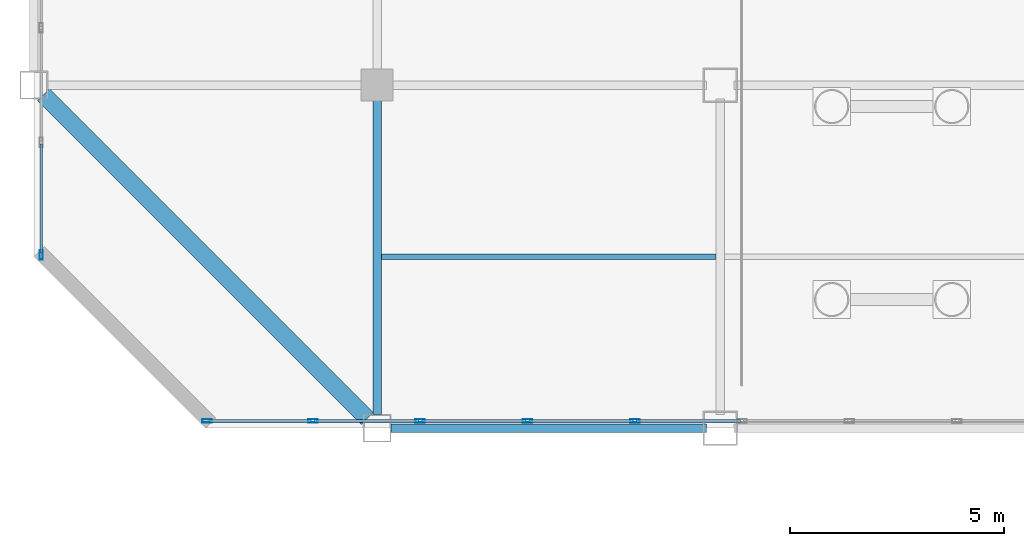
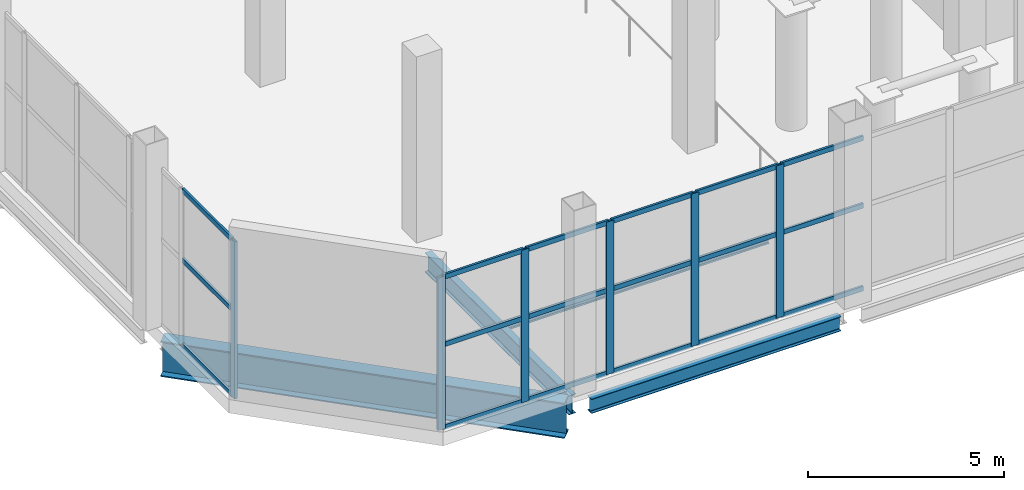
# One storey, part 2 of 18: 24 members, 4 beams, 2 elements without a shape of their own.
"""IFC4 building model written with IfcOpenShell, lengths in metres."""

from ifc_helpers import new_model, si_unit, direction, frame, origin, origin_2d, place, context, subcontext, project, spatial, hollow_rectangle, i_section, extrude, material, layer, layer_set, material_profile, profile_set, type_object, element, aggregate, save


model = new_model("IFC4")

# Units and contexts
model_context = context("Model", 3, precision=1e-05, world=origin(), true_north=direction((0.0, 1.0)))
body_context = subcontext(model_context, "Body", "Model", "MODEL_VIEW")
ifc_project = project(units=[si_unit("LENGTHUNIT", "METRE"), si_unit("AREAUNIT", "SQUARE_METRE"), si_unit("VOLUMEUNIT", "CUBIC_METRE"), si_unit("PLANEANGLEUNIT", "RADIAN"), si_unit("MASSUNIT", "GRAM", prefix="KILO")], contexts=[model_context])

# Site, building, storey
site_placement = place(None, origin())
site = spatial("IfcSite", under=ifc_project, at=site_placement, CompositionType="ELEMENT")
building_placement = place(site_placement, origin())
building = spatial("IfcBuilding", under=site, at=building_placement, Name="Qianrong Seaharbour Tower", CompositionType="ELEMENT")
storey_placement = place(building_placement, frame((0.0, 0.0, 367.199951171875)))
storey = spatial("IfcBuildingStorey", under=building, at=storey_placement, Name="L89", CompositionType="ELEMENT", Elevation=367.199951171875)

# Beams
ifc_material_1 = material(Name="Structural steel SN490B", Category="steel")
ifc_material_profile_1 = material_profile(ifc_material_1, i_section(OverallWidth=0.199951171875, OverallDepth=0.60009765625, WebThickness=0.010986328125, FlangeThickness=0.01708984375, FilletRadius=0.02197265625, at=origin_2d()), Name="H600x200x11x17")
ifc_profile_set_1 = profile_set([ifc_material_profile_1], Name="Structural steel SN490B")
beam_type_1 = type_object("IfcBeamType", Name="BM-G-600", PredefinedType="BEAM", material=ifc_profile_set_1)
beam_1_placement = place(storey_placement, frame((24.5, 28.320068359375, -0.719970703125), z_axis=(0.0, 1.0, 0.0), x_axis=(-1.0, 0.0, 0.0)))
element("IfcBeam", 1, at=beam_1_placement, inside=storey, type_object=beam_type_1, Name="L89 Primary Girder G4 GE-GF", PredefinedType="BEAM", context=body_context, shape_type="SweptSolid", body=[
    extrude(i_section(OverallWidth=0.199951171875, OverallDepth=0.60009765625, WebThickness=0.010986328125, FlangeThickness=0.01708984375, FilletRadius=0.02197265625, at=origin_2d()), origin(), (0.0, 0.0, 1.0), 7.35986328125),
])
ifc_material_2 = material(Name="Structural steel SN400B", Category="steel")
ifc_material_profile_2 = material_profile(ifc_material_2, i_section(OverallWidth=0.125, OverallDepth=0.25, WebThickness=0.006103515625, FlangeThickness=0.009033203125, FilletRadius=0.011962890625, at=origin_2d()), Name="H250x125x6x9")
ifc_profile_set_2 = profile_set([ifc_material_profile_2], Name="Structural steel SN400B")
beam_type_2 = type_object("IfcBeamType", Name="BM-J-250", PredefinedType="JOIST", material=ifc_profile_set_2)
beam_2_placement = place(storey_placement, frame((24.60009765625, 32.0, -0.544921875), z_axis=(1.0, 0.0, 0.0), x_axis=(0.0, 1.0, 0.0)))
element("IfcBeam", 2, at=beam_2_placement, inside=storey, type_object=beam_type_2, Name="L89 Composite Floor Joist G4-G5/GE-GF", PredefinedType="JOIST", context=body_context, shape_type="SweptSolid", body=[
    extrude(i_section(OverallWidth=0.125, OverallDepth=0.25, WebThickness=0.006103515625, FlangeThickness=0.009033203125, FilletRadius=0.011962890625, at=origin_2d()), origin(), (0.0, 0.0, 1.0), 7.7998046875),
])
ifc_material_profile_3 = material_profile(ifc_material_2, i_section(OverallWidth=0.199951171875, OverallDepth=0.449951171875, WebThickness=0.009033203125, FlangeThickness=0.013916015625, FilletRadius=0.01806640625, at=origin_2d()), Name="H450x200x9x14")
ifc_profile_set_3 = profile_set([ifc_material_profile_3], Name="Structural steel SN400B")
beam_type_3 = type_object("IfcBeamType", Name="BM-SP-450", PredefinedType="SPANDREL", material=ifc_profile_set_3)
beam_3_placement = place(storey_placement, frame((24.820068359375, 28.0, -0.64501953125), z_axis=(1.0, 0.0, 0.0), x_axis=(0.0, 1.0, 0.0)))
element("IfcBeam", 3, at=beam_3_placement, inside=storey, type_object=beam_type_3, Name="L89 Spandrel Girder GE G4-G5", PredefinedType="SPANDREL", context=body_context, shape_type="SweptSolid", body=[
    extrude(i_section(OverallWidth=0.199951171875, OverallDepth=0.449951171875, WebThickness=0.009033203125, FlangeThickness=0.013916015625, FilletRadius=0.01806640625, at=origin_2d()), origin(), (0.0, 0.0, 1.0), 7.35986328125),
])
ifc_material_profile_4 = material_profile(ifc_material_1, i_section(OverallWidth=0.39990234375, OverallDepth=1.10009765625, WebThickness=0.02001953125, FlangeThickness=0.035888671875, at=origin_2d()), Name="BH1100x400x20x36")
ifc_profile_set_4 = profile_set([ifc_material_profile_4], Name="Structural steel SN490B")
beam_type_4 = type_object("IfcBeamType", Name="BM-TG-1100", PredefinedType="BEAM", material=ifc_profile_set_4)
beam_4_placement = place(storey_placement, frame((24.273681640625, 28.226318359375, -0.969970703125), z_axis=(-0.707106781187, 0.707106781187, 0.0), x_axis=(-0.707106781187, -0.707106781187, 0.0)))
element("IfcBeam", 4, at=beam_4_placement, inside=storey, type_object=beam_type_4, Name="L89 Chamfer Corner Spandrel Girder G3/GE", PredefinedType="BEAM", context=body_context, shape_type="SweptSolid", body=[
    extrude(i_section(OverallWidth=0.39990234375, OverallDepth=1.10009765625, WebThickness=0.02001953125, FlangeThickness=0.035888671875, at=origin_2d()), origin(), (0.0, 0.0, 1.0), 10.673583984375),
])

# Curtain wall, members
ifc_material_3 = material(Name="Anodised aluminium 6063-T6 and laminated low-e glass", Category="aluminium")
ifc_layer = layer(ifc_material_3, 0.22998046875)
ifc_layer_set = layer_set([ifc_layer], Name="Anodised aluminium 6063-T6 and laminated low-e glass")
curtain_wall_type = type_object("IfcCurtainWallType", Name="CW-SYS-5", PredefinedType="NOTDEFINED", material=ifc_layer_set)
curtain_wall_1_placement = place(storey_placement, origin())
curtain_wall_1 = element("IfcCurtainWall", 5, at=curtain_wall_1_placement, inside=storey, type_object=curtain_wall_type, Name="L89 Venturi Wind-Turbine Shroud Curtain Wall HARBOUR_RIBBON", PredefinedType="NOTDEFINED")
ifc_material_4 = material(Name="Extruded aluminium 6063-T6", Category="aluminium")
ifc_material_profile_5 = material_profile(ifc_material_4, hollow_rectangle(XDim=0.080078125, YDim=0.219970703125, WallThickness=0.0048828125, at=origin_2d()), Name="ALU-MUL-220x80x5")
ifc_profile_set_5 = profile_set([ifc_material_profile_5], Name="Extruded aluminium 6063-T6")
member_type_1 = type_object("IfcMemberType", Name="CW-MUL-220", PredefinedType="MULLION", material=ifc_profile_set_5)
member_1_placement = place(storey_placement, frame((30.510009765625, 28.169921875, 0.0), z_axis=(0.0, 0.0, 1.0), x_axis=(0.0, -1.0, 0.0)))
member_1 = element("IfcMember", 6, at=member_1_placement, type_object=member_type_1, Name="CW-5 mullion 5", PredefinedType="MULLION", context=body_context, shape_type="SweptSolid", body=[
    extrude(hollow_rectangle(XDim=0.080078125, YDim=0.219970703125, WallThickness=0.0048828125, at=origin_2d()), origin(), (0.0, 0.0, 1.0), 4.75),
])
member_2_placement = place(storey_placement, frame((28.007568359375, 28.169921875, 0.0), z_axis=(0.0, 0.0, 1.0), x_axis=(0.0, -1.0, 0.0)))
member_2 = element("IfcMember", 7, at=member_2_placement, type_object=member_type_1, Name="CW-5 mullion 6", PredefinedType="MULLION", context=body_context, shape_type="SweptSolid", body=[
    extrude(hollow_rectangle(XDim=0.080078125, YDim=0.219970703125, WallThickness=0.0048828125, at=origin_2d()), origin(), (0.0, 0.0, 1.0), 4.75),
])
member_3_placement = place(storey_placement, frame((25.5048828125, 28.169921875, 0.0), z_axis=(0.0, 0.0, 1.0), x_axis=(0.0, -1.0, 0.0)))
member_3 = element("IfcMember", 8, at=member_3_placement, type_object=member_type_1, Name="CW-5 mullion 7", PredefinedType="MULLION", context=body_context, shape_type="SweptSolid", body=[
    extrude(hollow_rectangle(XDim=0.080078125, YDim=0.219970703125, WallThickness=0.0048828125, at=origin_2d()), origin(), (0.0, 0.0, 1.0), 4.75),
])
member_4_placement = place(storey_placement, frame((23.00244140625, 28.169921875, 0.0), z_axis=(0.0, 0.0, 1.0), x_axis=(0.0, -1.0, 0.0)))
member_4 = element("IfcMember", 9, at=member_4_placement, type_object=member_type_1, Name="CW-5 mullion 8", PredefinedType="MULLION", context=body_context, shape_type="SweptSolid", body=[
    extrude(hollow_rectangle(XDim=0.080078125, YDim=0.219970703125, WallThickness=0.0048828125, at=origin_2d()), origin(), (0.0, 0.0, 1.0), 4.75),
])
member_5_placement = place(storey_placement, frame((20.5400390625, 28.169921875, 0.0), z_axis=(0.0, 0.0, 1.0), x_axis=(0.0, -1.0, 0.0)))
member_5 = element("IfcMember", 10, at=member_5_placement, type_object=member_type_1, Name="CW-5 mullion 9", PredefinedType="MULLION", context=body_context, shape_type="SweptSolid", body=[
    extrude(hollow_rectangle(XDim=0.080078125, YDim=0.219970703125, WallThickness=0.0048828125, at=origin_2d()), origin(), (0.0, 0.0, 1.0), 4.75),
])

# Curtain wall, member
curtain_wall_2_placement = place(storey_placement, origin())
curtain_wall_2 = element("IfcCurtainWall", 11, at=curtain_wall_2_placement, inside=storey, type_object=curtain_wall_type, Name="L89 Venturi Wind-Turbine Shroud Curtain Wall WEST_TIP", PredefinedType="NOTDEFINED")
member_6_placement = place(storey_placement, frame((16.669921875, 32.0400390625, 0.0), z_axis=(0.0, 0.0, 1.0), x_axis=(-1.0, 0.0, 0.0)))
member_6 = element("IfcMember", 12, at=member_6_placement, type_object=member_type_1, Name="CW-5 mullion 1", PredefinedType="MULLION", context=body_context, shape_type="SweptSolid", body=[
    extrude(hollow_rectangle(XDim=0.080078125, YDim=0.219970703125, WallThickness=0.0048828125, at=origin_2d()), origin(), (0.0, 0.0, 1.0), 4.900146484375),
])

# Member
ifc_material_profile_6 = material_profile(ifc_material_4, hollow_rectangle(XDim=0.06494140625, YDim=0.14990234375, WallThickness=0.00390625, at=origin_2d()), Name="ALU-TRN-150x65x4")
ifc_profile_set_6 = profile_set([ifc_material_profile_6], Name="Extruded aluminium 6063-T6")
member_type_2 = type_object("IfcMemberType", Name="CW-TRN-150", PredefinedType="USERDEFINED", material=ifc_profile_set_6)
member_7_placement = place(storey_placement, frame((32.972412109375, 28.169921875, 0.032470703125), z_axis=(-1.0, 0.0, 0.0), x_axis=(0.0, -1.0, 0.0)))
member_7 = element("IfcMember", 13, at=member_7_placement, type_object=member_type_2, Name="CW-5 transom 4.1", ObjectType="TRANSOM", PredefinedType="USERDEFINED", context=body_context, shape_type="SweptSolid", body=[
    extrude(hollow_rectangle(XDim=0.06494140625, YDim=0.14990234375, WallThickness=0.00390625, at=origin_2d()), origin(), (0.0, 0.0, 1.0), 2.42236328125),
])

member_8_placement = place(storey_placement, frame((32.972412109375, 28.169921875, 2.612548828125), z_axis=(-1.0, 0.0, 0.0), x_axis=(0.0, -1.0, 0.0)))
member_8 = element("IfcMember", 14, at=member_8_placement, type_object=member_type_2, Name="CW-5 transom 4.2", ObjectType="TRANSOM", PredefinedType="USERDEFINED", context=body_context, shape_type="SweptSolid", body=[
    extrude(hollow_rectangle(XDim=0.06494140625, YDim=0.14990234375, WallThickness=0.00390625, at=origin_2d()), origin(), (0.0, 0.0, 1.0), 2.42236328125),
])

member_9_placement = place(storey_placement, frame((32.972412109375, 28.169921875, 4.717529296875), z_axis=(-1.0, 0.0, 0.0), x_axis=(0.0, -1.0, 0.0)))
member_9 = element("IfcMember", 15, at=member_9_placement, type_object=member_type_2, Name="CW-5 transom 4.3", ObjectType="TRANSOM", PredefinedType="USERDEFINED", context=body_context, shape_type="SweptSolid", body=[
    extrude(hollow_rectangle(XDim=0.06494140625, YDim=0.14990234375, WallThickness=0.00390625, at=origin_2d()), origin(), (0.0, 0.0, 1.0), 2.42236328125),
])

member_10_placement = place(storey_placement, frame((30.469970703125, 28.169921875, 0.032470703125), z_axis=(-1.0, 0.0, 0.0), x_axis=(0.0, -1.0, 0.0)))
member_10 = element("IfcMember", 16, at=member_10_placement, type_object=member_type_2, Name="CW-5 transom 5.1", ObjectType="TRANSOM", PredefinedType="USERDEFINED", context=body_context, shape_type="SweptSolid", body=[
    extrude(hollow_rectangle(XDim=0.06494140625, YDim=0.14990234375, WallThickness=0.00390625, at=origin_2d()), origin(), (0.0, 0.0, 1.0), 2.42236328125),
])

member_11_placement = place(storey_placement, frame((30.469970703125, 28.169921875, 2.612548828125), z_axis=(-1.0, 0.0, 0.0), x_axis=(0.0, -1.0, 0.0)))
member_11 = element("IfcMember", 17, at=member_11_placement, type_object=member_type_2, Name="CW-5 transom 5.2", ObjectType="TRANSOM", PredefinedType="USERDEFINED", context=body_context, shape_type="SweptSolid", body=[
    extrude(hollow_rectangle(XDim=0.06494140625, YDim=0.14990234375, WallThickness=0.00390625, at=origin_2d()), origin(), (0.0, 0.0, 1.0), 2.42236328125),
])

member_12_placement = place(storey_placement, frame((30.469970703125, 28.169921875, 4.717529296875), z_axis=(-1.0, 0.0, 0.0), x_axis=(0.0, -1.0, 0.0)))
member_12 = element("IfcMember", 18, at=member_12_placement, type_object=member_type_2, Name="CW-5 transom 5.3", ObjectType="TRANSOM", PredefinedType="USERDEFINED", context=body_context, shape_type="SweptSolid", body=[
    extrude(hollow_rectangle(XDim=0.06494140625, YDim=0.14990234375, WallThickness=0.00390625, at=origin_2d()), origin(), (0.0, 0.0, 1.0), 2.42236328125),
])

member_13_placement = place(storey_placement, frame((27.967529296875, 28.169921875, 0.032470703125), z_axis=(-1.0, 0.0, 0.0), x_axis=(0.0, -1.0, 0.0)))
member_13 = element("IfcMember", 19, at=member_13_placement, type_object=member_type_2, Name="CW-5 transom 6.1", ObjectType="TRANSOM", PredefinedType="USERDEFINED", context=body_context, shape_type="SweptSolid", body=[
    extrude(hollow_rectangle(XDim=0.06494140625, YDim=0.14990234375, WallThickness=0.00390625, at=origin_2d()), origin(), (0.0, 0.0, 1.0), 2.422607421875),
])

member_14_placement = place(storey_placement, frame((27.967529296875, 28.169921875, 2.612548828125), z_axis=(-1.0, 0.0, 0.0), x_axis=(0.0, -1.0, 0.0)))
member_14 = element("IfcMember", 20, at=member_14_placement, type_object=member_type_2, Name="CW-5 transom 6.2", ObjectType="TRANSOM", PredefinedType="USERDEFINED", context=body_context, shape_type="SweptSolid", body=[
    extrude(hollow_rectangle(XDim=0.06494140625, YDim=0.14990234375, WallThickness=0.00390625, at=origin_2d()), origin(), (0.0, 0.0, 1.0), 2.422607421875),
])

member_15_placement = place(storey_placement, frame((27.967529296875, 28.169921875, 4.717529296875), z_axis=(-1.0, 0.0, 0.0), x_axis=(0.0, -1.0, 0.0)))
member_15 = element("IfcMember", 21, at=member_15_placement, type_object=member_type_2, Name="CW-5 transom 6.3", ObjectType="TRANSOM", PredefinedType="USERDEFINED", context=body_context, shape_type="SweptSolid", body=[
    extrude(hollow_rectangle(XDim=0.06494140625, YDim=0.14990234375, WallThickness=0.00390625, at=origin_2d()), origin(), (0.0, 0.0, 1.0), 2.422607421875),
])

member_16_placement = place(storey_placement, frame((25.465087890625, 28.169921875, 0.032470703125), z_axis=(-1.0, 0.0, 0.0), x_axis=(0.0, -1.0, 0.0)))
member_16 = element("IfcMember", 22, at=member_16_placement, type_object=member_type_2, Name="CW-5 transom 7.1", ObjectType="TRANSOM", PredefinedType="USERDEFINED", context=body_context, shape_type="SweptSolid", body=[
    extrude(hollow_rectangle(XDim=0.06494140625, YDim=0.14990234375, WallThickness=0.00390625, at=origin_2d()), origin(), (0.0, 0.0, 1.0), 2.422607421875),
])

member_17_placement = place(storey_placement, frame((25.465087890625, 28.169921875, 2.612548828125), z_axis=(-1.0, 0.0, 0.0), x_axis=(0.0, -1.0, 0.0)))
member_17 = element("IfcMember", 23, at=member_17_placement, type_object=member_type_2, Name="CW-5 transom 7.2", ObjectType="TRANSOM", PredefinedType="USERDEFINED", context=body_context, shape_type="SweptSolid", body=[
    extrude(hollow_rectangle(XDim=0.06494140625, YDim=0.14990234375, WallThickness=0.00390625, at=origin_2d()), origin(), (0.0, 0.0, 1.0), 2.422607421875),
])

member_18_placement = place(storey_placement, frame((25.465087890625, 28.169921875, 4.717529296875), z_axis=(-1.0, 0.0, 0.0), x_axis=(0.0, -1.0, 0.0)))
member_18 = element("IfcMember", 24, at=member_18_placement, type_object=member_type_2, Name="CW-5 transom 7.3", ObjectType="TRANSOM", PredefinedType="USERDEFINED", context=body_context, shape_type="SweptSolid", body=[
    extrude(hollow_rectangle(XDim=0.06494140625, YDim=0.14990234375, WallThickness=0.00390625, at=origin_2d()), origin(), (0.0, 0.0, 1.0), 2.422607421875),
])

member_19_placement = place(storey_placement, frame((22.96240234375, 28.169921875, 0.032470703125), z_axis=(-1.0, 0.0, 0.0), x_axis=(0.0, -1.0, 0.0)))
member_19 = element("IfcMember", 25, at=member_19_placement, type_object=member_type_2, Name="CW-5 transom 8.1", ObjectType="TRANSOM", PredefinedType="USERDEFINED", context=body_context, shape_type="SweptSolid", body=[
    extrude(hollow_rectangle(XDim=0.06494140625, YDim=0.14990234375, WallThickness=0.00390625, at=origin_2d()), origin(), (0.0, 0.0, 1.0), 2.38232421875),
])

member_20_placement = place(storey_placement, frame((22.96240234375, 28.169921875, 2.612548828125), z_axis=(-1.0, 0.0, 0.0), x_axis=(0.0, -1.0, 0.0)))
member_20 = element("IfcMember", 26, at=member_20_placement, type_object=member_type_2, Name="CW-5 transom 8.2", ObjectType="TRANSOM", PredefinedType="USERDEFINED", context=body_context, shape_type="SweptSolid", body=[
    extrude(hollow_rectangle(XDim=0.06494140625, YDim=0.14990234375, WallThickness=0.00390625, at=origin_2d()), origin(), (0.0, 0.0, 1.0), 2.38232421875),
])

member_21_placement = place(storey_placement, frame((22.96240234375, 28.169921875, 4.717529296875), z_axis=(-1.0, 0.0, 0.0), x_axis=(0.0, -1.0, 0.0)))
member_21 = element("IfcMember", 27, at=member_21_placement, type_object=member_type_2, Name="CW-5 transom 8.3", ObjectType="TRANSOM", PredefinedType="USERDEFINED", context=body_context, shape_type="SweptSolid", body=[
    extrude(hollow_rectangle(XDim=0.06494140625, YDim=0.14990234375, WallThickness=0.00390625, at=origin_2d()), origin(), (0.0, 0.0, 1.0), 2.38232421875),
])

aggregate(curtain_wall_1, [member_1, member_2, member_3, member_4, member_5, member_7, member_8, member_9, member_10, member_11, member_12, member_13, member_14, member_15, member_16, member_17, member_18, member_19, member_20, member_21])

member_22_placement = place(storey_placement, frame((16.669921875, 32.080078125, 0.032470703125), z_axis=(0.0, 1.0, 0.0), x_axis=(-1.0, 0.0, 0.0)))
member_22 = element("IfcMember", 28, at=member_22_placement, type_object=member_type_2, Name="CW-5 transom 1.1", ObjectType="TRANSOM", PredefinedType="USERDEFINED", context=body_context, shape_type="SweptSolid", body=[
    extrude(hollow_rectangle(XDim=0.06494140625, YDim=0.14990234375, WallThickness=0.00390625, at=origin_2d()), origin(), (0.0, 0.0, 1.0), 2.546630859375),
])

member_23_placement = place(storey_placement, frame((16.669921875, 32.080078125, 2.695068359375), z_axis=(0.0, 1.0, 0.0), x_axis=(-1.0, 0.0, 0.0)))
member_23 = element("IfcMember", 29, at=member_23_placement, type_object=member_type_2, Name="CW-5 transom 1.2", ObjectType="TRANSOM", PredefinedType="USERDEFINED", context=body_context, shape_type="SweptSolid", body=[
    extrude(hollow_rectangle(XDim=0.06494140625, YDim=0.14990234375, WallThickness=0.00390625, at=origin_2d()), origin(), (0.0, 0.0, 1.0), 2.546630859375),
])

member_24_placement = place(storey_placement, frame((16.669921875, 32.080078125, 4.867431640625), z_axis=(0.0, 1.0, 0.0), x_axis=(-1.0, 0.0, 0.0)))
member_24 = element("IfcMember", 30, at=member_24_placement, type_object=member_type_2, Name="CW-5 transom 1.3", ObjectType="TRANSOM", PredefinedType="USERDEFINED", context=body_context, shape_type="SweptSolid", body=[
    extrude(hollow_rectangle(XDim=0.06494140625, YDim=0.14990234375, WallThickness=0.00390625, at=origin_2d()), origin(), (0.0, 0.0, 1.0), 2.546630859375),
])

aggregate(curtain_wall_2, [member_6, member_22, member_23, member_24])

save(model, "model.ifc")
